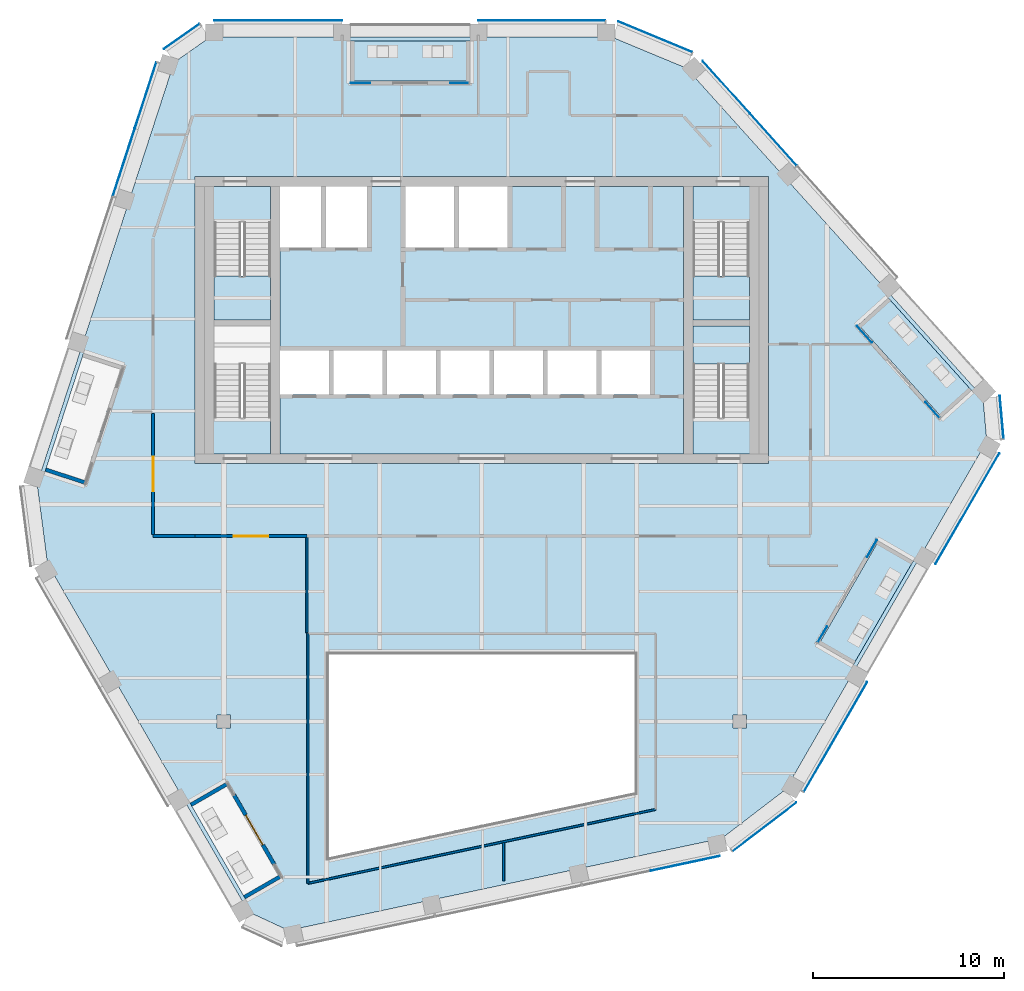
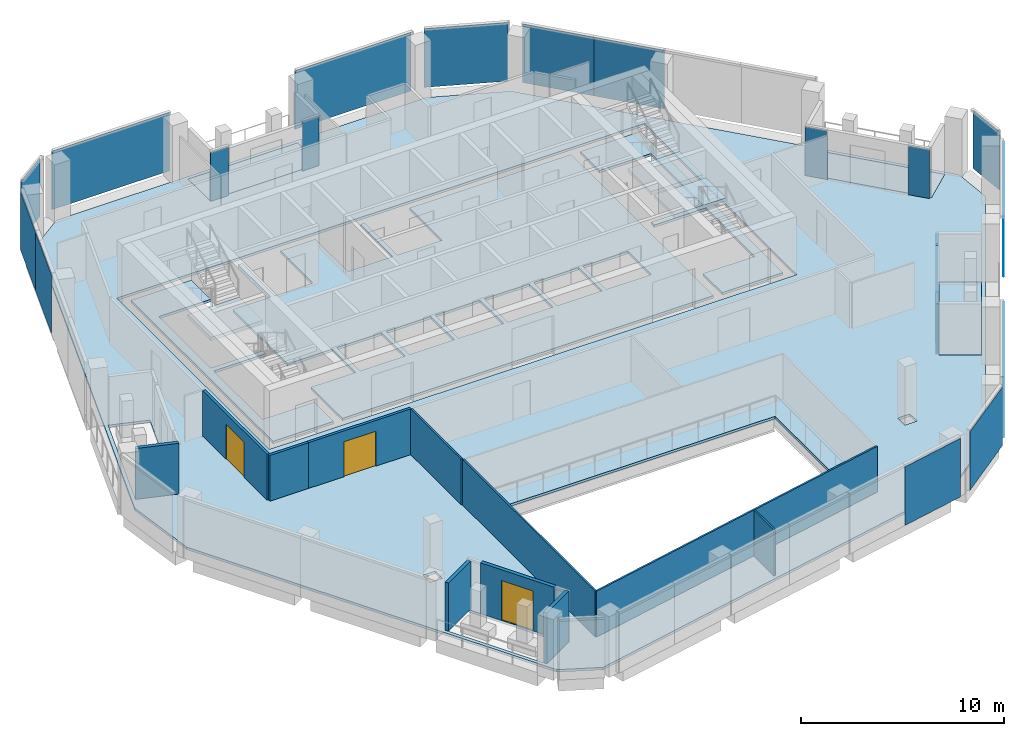
# One storey, part 10 of 20: 19 plates, 11 walls, 10 slabs, 3 doors, 3 openings, 15 elements without a shape of their own.
"""IFC4 building model written with IfcOpenShell, lengths in metres."""

from ifc_helpers import new_model, si_unit, direction, frame, frame_2d, origin, origin_2d, place, context, subcontext, project, spatial, polyline, rectangle, outline, extrude, material, layer, layer_set, type_object, element, fill, aggregate, save


model = new_model("IFC4")

# Units and contexts
model_context = context("Model", 3, precision=1e-05, world=origin(), true_north=direction((0.0, 1.0)))
body_context = subcontext(model_context, "Body", "Model", "MODEL_VIEW")
ifc_project = project(units=[si_unit("LENGTHUNIT", "METRE"), si_unit("AREAUNIT", "SQUARE_METRE"), si_unit("VOLUMEUNIT", "CUBIC_METRE"), si_unit("PLANEANGLEUNIT", "RADIAN"), si_unit("MASSUNIT", "GRAM", prefix="KILO")], contexts=[model_context])

# Site, building, storey
site_placement = place(None, origin())
site = spatial("IfcSite", under=ifc_project, at=site_placement, CompositionType="ELEMENT")
building_placement = place(site_placement, origin())
building = spatial("IfcBuilding", under=site, at=building_placement, Name="Isthmus Gate Tower", CompositionType="ELEMENT")
storey_placement = place(building_placement, frame((0.0, 0.0, 279.199951171875)))
storey = spatial("IfcBuildingStorey", under=building, at=storey_placement, Name="L71", CompositionType="ELEMENT", Elevation=279.199951171875)

# Slabs
ifc_material_1 = material(Name="Concrete f'c 40 MPa", Category="concrete")
ifc_layer_1 = layer(ifc_material_1, 0.14990234375)
ifc_layer_set_1 = layer_set([ifc_layer_1], Name="COMPOSITE FLOOR SLAB 150")
slab_type_1 = type_object("IfcSlabType", Name="COMPOSITE FLOOR SLAB 150", PredefinedType="FLOOR", material=ifc_layer_set_1)
slab_1_placement = place(storey_placement, frame((0.0, 0.0, -0.14990234375)))
element("IfcSlab", 1, at=slab_1_placement, inside=storey, type_object=slab_type_1, Name="str-slab-L71-1", PredefinedType="FLOOR", context=body_context, shape_type="SweptSolid", body=[
    extrude(outline(polyline([(10.7080078125, 20.68310546875), (26.218017578125, 3.45751953125), (26.423583984375, 1.1669921875), (15.902587890625, -17.055908203125), (12.55810546875, -19.614990234375), (-10.11474609375, -24.434326171875), (-12.201171875, -23.467041015625), (-22.72216796875, -5.243896484375), (-23.26611328125, -1.068115234375), (-16.103515625, 20.976806640625), (-14.22265625, 22.300048828125), (6.819580078125, 22.300048828125), (10.7080078125, 20.68310546875)]), holes=[polyline([(-10.54833984375, -21.7294921875), (-13.440673828125, -16.719970703125), (-15.259521484375, -17.77001953125), (-12.3671875, -22.779541015625), (-10.54833984375, -21.7294921875)]), polyline([(8.0, -10.0), (-8.0, -10.0), (-8.0, -20.611083984375), (8.0, -17.210205078125), (8.0, -10.0)]), polyline([(-13.14990234375, -13.14990234375), (-13.85009765625, -13.14990234375), (-13.85009765625, -13.85009765625), (-13.14990234375, -13.85009765625), (-13.14990234375, -13.14990234375)]), polyline([(13.85009765625, -13.14990234375), (13.14990234375, -13.14990234375), (13.14990234375, -13.85009765625), (13.85009765625, -13.85009765625), (13.85009765625, -13.14990234375)]), polyline([(20.750244140625, -4.059326171875), (17.633056640625, -9.458740234375), (19.45166015625, -10.5087890625), (22.569091796875, -5.109375), (20.750244140625, -4.059326171875)]), polyline([(-20.849365234375, -1.072998046875), (-18.838623046875, 5.115478515625), (-20.8359375, 5.764404296875), (-22.8466796875, -0.424072265625), (-20.849365234375, -1.072998046875)]), polyline([(19.708740234375, 7.24951171875), (24.062744140625, 2.4140625), (25.623291015625, 3.819091796875), (21.269287109375, 8.65478515625), (19.708740234375, 7.24951171875)]), polyline([(15.0, 15.0), (-15.0, 15.0), (-15.0, 0.0), (15.0, 0.0), (15.0, 15.0)]), polyline([(-6.859619140625, 22.10009765625), (-6.859619140625, 20.0), (-0.625, 20.0), (-0.625, 22.10009765625), (-6.859619140625, 22.10009765625)])]), origin(), (0.0, 0.0, 1.0), 0.14990234375),
])
ifc_material_2 = material(Name="Concrete f'c 40 MPa", Category="concrete")
ifc_layer_2 = layer(ifc_material_2, 0.14990234375)
ifc_layer_set_2 = layer_set([ifc_layer_2], Name="CORE FLOOR SLAB 150")
slab_type_2 = type_object("IfcSlabType", Name="CORE FLOOR SLAB 150", PredefinedType="FLOOR", material=ifc_layer_set_2)
slab_2_placement = place(storey_placement, frame((0.0, 0.0, -0.14990234375)))
element("IfcSlab", 2, at=slab_2_placement, inside=storey, type_object=slab_type_2, Name="L71 core floor", PredefinedType="FLOOR", context=body_context, shape_type="SweptSolid", body=[
    extrude(outline(polyline([(-11.050048828125, 0.5), (-11.050048828125, 2.402099609375), (-14.0, 2.402099609375), (-14.0, 7.199951171875), (-11.050048828125, 7.199951171875), (-11.050048828125, 7.5), (-14.0, 7.5), (-14.0, 12.597900390625), (-11.050048828125, 12.597900390625), (-11.050048828125, 14.5), (-14.5, 14.5), (-14.5, 0.5), (-11.050048828125, 0.5)])), origin(), (0.0, 0.0, 1.0), 0.14990234375),
])
slab_3_placement = place(storey_placement, frame((0.0, 0.0, -0.14990234375)))
element("IfcSlab", 3, at=slab_3_placement, inside=storey, type_object=slab_type_2, Name="L71 core floor", PredefinedType="FLOOR", context=body_context, shape_type="SweptSolid", body=[
    extrude(outline(polyline([(10.550048828125, 14.5), (1.35009765625, 14.5), (1.35009765625, 11.300048828125), (-1.199951171875, 11.300048828125), (-1.199951171875, 14.5), (-1.449951171875, 14.5), (-1.449951171875, 11.300048828125), (-4.0, 11.300048828125), (-4.0, 14.5), (-6.0, 14.5), (-6.0, 11.300048828125), (-8.14990234375, 11.300048828125), (-8.14990234375, 14.5), (-8.39990234375, 14.5), (-8.39990234375, 11.300048828125), (-10.550048828125, 11.300048828125), (-10.550048828125, 5.89990234375), (-8.0, 5.89990234375), (-8.0, 3.60009765625), (-10.550048828125, 3.60009765625), (-10.550048828125, 0.5), (10.550048828125, 0.5), (10.550048828125, 14.5)]), holes=[polyline([(-5.199951171875, 5.89990234375), (-5.199951171875, 3.60009765625), (-7.75, 3.60009765625), (-7.75, 5.89990234375), (-5.199951171875, 5.89990234375)]), polyline([(-2.39990234375, 5.89990234375), (-2.39990234375, 3.60009765625), (-4.949951171875, 3.60009765625), (-4.949951171875, 5.89990234375), (-2.39990234375, 5.89990234375)]), polyline([(0.39990234375, 5.89990234375), (0.39990234375, 3.60009765625), (-2.14990234375, 3.60009765625), (-2.14990234375, 5.89990234375), (0.39990234375, 5.89990234375)]), polyline([(3.199951171875, 5.89990234375), (3.199951171875, 3.60009765625), (0.64990234375, 3.60009765625), (0.64990234375, 5.89990234375), (3.199951171875, 5.89990234375)]), polyline([(6.0, 5.89990234375), (6.0, 3.60009765625), (3.449951171875, 3.60009765625), (3.449951171875, 5.89990234375), (6.0, 5.89990234375)]), polyline([(8.800048828125, 5.89990234375), (8.800048828125, 3.60009765625), (6.25, 3.60009765625), (6.25, 5.89990234375), (8.800048828125, 5.89990234375)])]), origin(), (0.0, 0.0, 1.0), 0.14990234375),
])
slab_4_placement = place(storey_placement, frame((0.0, 0.0, -0.14990234375)))
element("IfcSlab", 4, at=slab_4_placement, inside=storey, type_object=slab_type_2, Name="L71 core floor", PredefinedType="FLOOR", context=body_context, shape_type="SweptSolid", body=[
    extrude(outline(polyline([(11.050048828125, 14.5), (11.050048828125, 12.597900390625), (14.0, 12.597900390625), (14.0, 7.5), (11.050048828125, 7.5), (11.050048828125, 7.199951171875), (14.0, 7.199951171875), (14.0, 2.402099609375), (11.050048828125, 2.402099609375), (11.050048828125, 0.5), (14.5, 0.5), (14.5, 14.5), (11.050048828125, 14.5)])), origin(), (0.0, 0.0, 1.0), 0.14990234375),
])

# Curtain wall, plates
ifc_material_3 = material(Name="Aluminium, pale champagne anodised", Category="aluminium")
ifc_layer_3 = layer(ifc_material_3, 0.199951171875)
ifc_layer_set_3 = layer_set([ifc_layer_3], Name="CW-1 UNITISED CURTAIN WALL 200 DEEP")
curtain_wall_type_1 = type_object("IfcCurtainWallType", Name="CW-1 UNITISED CURTAIN WALL 200 DEEP", PredefinedType="NOTDEFINED", material=ifc_layer_set_3)
curtain_wall_1_placement = place(storey_placement, origin())
curtain_wall_1 = element("IfcCurtainWall", 5, at=curtain_wall_1_placement, inside=storey, type_object=curtain_wall_type_1, Name="CW-1 N L71", PredefinedType="NOTDEFINED")
ifc_material_4 = material(Name="Laminated low-iron glass, pale blue tint", Category="glass")
ifc_layer_4 = layer(ifc_material_4, 0.031982421875)
ifc_layer_set_4 = layer_set([ifc_layer_4], Name="CW-1 CLEAR GLASS LITE 32")
plate_type_1 = type_object("IfcPlateType", Name="CW-1 CLEAR GLASS LITE 32", PredefinedType="CURTAIN_PANEL", material=ifc_layer_set_4)
plate_1_placement = place(storey_placement, frame((3.13720703125, 23.18408203125, 0.0), z_axis=(0.0, 0.0, 1.0), x_axis=(-1.0, 0.0, 0.0)))
plate_1 = element("IfcPlate", 6, at=plate_1_placement, type_object=plate_type_1, Name="CW-1 glass lite", PredefinedType="CURTAIN_PANEL", context=body_context, shape_type="SweptSolid", body=[
    extrude(rectangle(XDim=6.62451171875, YDim=0.031982421875, at=origin_2d()), origin(), (0.0, 0.0, 1.0), 3.52001953125),
])
plate_2_placement = place(storey_placement, frame((-10.65185546875, 23.18408203125, 0.0), z_axis=(0.0, 0.0, 1.0), x_axis=(-1.0, 0.0, 0.0)))
plate_2 = element("IfcPlate", 7, at=plate_2_placement, type_object=plate_type_1, Name="CW-1 glass lite", PredefinedType="CURTAIN_PANEL", context=body_context, shape_type="SweptSolid", body=[
    extrude(rectangle(XDim=6.6845703125, YDim=0.031982421875, at=origin_2d()), origin(), (0.0, 0.0, 1.0), 3.52001953125),
])
aggregate(curtain_wall_1, [plate_1, plate_2])

# Curtain wall, plate
curtain_wall_2_placement = place(storey_placement, origin())
curtain_wall_2 = element("IfcCurtainWall", 8, at=curtain_wall_2_placement, inside=storey, type_object=curtain_wall_type_1, Name="CW-1 N-NW L71", PredefinedType="NOTDEFINED")
plate_3_placement = place(storey_placement, frame((-15.6953125, 22.3447265625, 0.0), z_axis=(0.0, 0.0, 1.0), x_axis=(-0.81785959165, -0.57541783805, 0.0)))
plate_3 = element("IfcPlate", 9, at=plate_3_placement, type_object=plate_type_1, Name="CW-1 glass lite", PredefinedType="CURTAIN_PANEL", context=body_context, shape_type="SweptSolid", body=[
    extrude(rectangle(XDim=2.258544921875, YDim=0.031982421875, at=origin_2d()), origin(), (0.0, 0.0, 1.0), 3.52001953125),
])
aggregate(curtain_wall_2, [plate_3])

# Curtain wall, plates
curtain_wall_3_placement = place(storey_placement, origin())
curtain_wall_3 = element("IfcCurtainWall", 10, at=curtain_wall_3_placement, inside=storey, type_object=curtain_wall_type_1, Name="CW-1 NW L71", PredefinedType="NOTDEFINED")
plate_4_placement = place(storey_placement, frame((-17.592529296875, 19.254150390625, 0.0), z_axis=(0.0, 0.0, 1.0), x_axis=(-0.309016994375, -0.951056516295, 0.0)))
plate_4 = element("IfcPlate", 11, at=plate_4_placement, type_object=plate_type_1, Name="CW-1 glass lite", PredefinedType="CURTAIN_PANEL", context=body_context, shape_type="SweptSolid", body=[
    extrude(rectangle(XDim=3.643310546875, YDim=0.031982421875, at=origin_2d()), origin(), (0.0, 0.0, 1.0), 3.52001953125),
])
plate_5_placement = place(storey_placement, frame((-18.727783203125, 15.760498046875, 0.0), z_axis=(0.0, 0.0, 1.0), x_axis=(-0.309016994375, -0.951056516295, 0.0)))
plate_5 = element("IfcPlate", 12, at=plate_5_placement, type_object=plate_type_1, Name="CW-1 glass lite", PredefinedType="CURTAIN_PANEL", context=body_context, shape_type="SweptSolid", body=[
    extrude(rectangle(XDim=3.703369140625, YDim=0.031982421875, at=origin_2d()), origin(), (0.0, 0.0, 1.0), 3.52001953125),
])
aggregate(curtain_wall_3, [plate_4, plate_5])

# Curtain wall, plate
curtain_wall_4_placement = place(storey_placement, origin())
curtain_wall_4 = element("IfcCurtainWall", 13, at=curtain_wall_4_placement, inside=storey, type_object=curtain_wall_type_1, Name="CW-1 S L71", PredefinedType="NOTDEFINED")
plate_6_placement = place(storey_placement, frame((10.644775390625, -20.925537109375, 0.0), z_axis=(0.0, 0.0, 1.0), x_axis=(0.978147600734, 0.207911690818, 0.0)))
plate_6 = element("IfcPlate", 14, at=plate_6_placement, type_object=plate_type_1, Name="CW-1 glass lite", PredefinedType="CURTAIN_PANEL", context=body_context, shape_type="SweptSolid", body=[
    extrude(rectangle(XDim=3.703369140625, YDim=0.031982421875, at=origin_2d()), origin(), (0.0, 0.0, 1.0), 3.52001953125),
])
aggregate(curtain_wall_4, [plate_6])

curtain_wall_5_placement = place(storey_placement, origin())
curtain_wall_5 = element("IfcCurtainWall", 15, at=curtain_wall_5_placement, inside=storey, type_object=curtain_wall_type_1, Name="CW-1 S-SE L71", PredefinedType="NOTDEFINED")
plate_7_placement = place(storey_placement, frame((14.791259765625, -19.01953125, 0.0), z_axis=(0.0, 0.0, 1.0), x_axis=(0.794188594387, 0.607671355706, 0.0)))
plate_7 = element("IfcPlate", 16, at=plate_7_placement, type_object=plate_type_1, Name="CW-1 glass lite", PredefinedType="CURTAIN_PANEL", context=body_context, shape_type="SweptSolid", body=[
    extrude(rectangle(XDim=4.181396484375, YDim=0.031982421875, at=origin_2d()), origin(), (0.0, 0.0, 1.0), 3.52001953125),
])
aggregate(curtain_wall_5, [plate_7])

# Curtain wall, plates
curtain_wall_6_placement = place(storey_placement, origin())
curtain_wall_6 = element("IfcCurtainWall", 17, at=curtain_wall_6_placement, inside=storey, type_object=curtain_wall_type_1, Name="CW-1 SE L71", PredefinedType="NOTDEFINED")
plate_8_placement = place(storey_placement, frame((18.50927734375, -14.308837890625, 0.0), z_axis=(0.0, 0.0, 1.0), x_axis=(0.5, 0.866025403784, 0.0)))
plate_8 = element("IfcPlate", 18, at=plate_8_placement, type_object=plate_type_1, Name="CW-1 glass lite", PredefinedType="CURTAIN_PANEL", context=body_context, shape_type="SweptSolid", body=[
    extrude(rectangle(XDim=6.62451171875, YDim=0.031982421875, at=origin_2d()), origin(), (0.0, 0.0, 1.0), 3.52001953125),
])
plate_9_placement = place(storey_placement, frame((25.40380859375, -2.3671875, 0.0), z_axis=(0.0, 0.0, 1.0), x_axis=(0.5, 0.866025403784, 0.0)))
plate_9 = element("IfcPlate", 19, at=plate_9_placement, type_object=plate_type_1, Name="CW-1 glass lite", PredefinedType="CURTAIN_PANEL", context=body_context, shape_type="SweptSolid", body=[
    extrude(rectangle(XDim=6.6845703125, YDim=0.031982421875, at=origin_2d()), origin(), (0.0, 0.0, 1.0), 3.52001953125),
])
aggregate(curtain_wall_6, [plate_8, plate_9])

# Curtain wall, plate
curtain_wall_7_placement = place(storey_placement, origin())
curtain_wall_7 = element("IfcCurtainWall", 20, at=curtain_wall_7_placement, inside=storey, type_object=curtain_wall_type_1, Name="CW-1 SE-NE L71", PredefinedType="NOTDEFINED")
plate_10_placement = place(storey_placement, frame((27.19873046875, 2.420166015625, 0.0), z_axis=(0.0, 0.0, 1.0), x_axis=(-0.089396669717, 0.995996102123, 0.0)))
plate_10 = element("IfcPlate", 21, at=plate_10_placement, type_object=plate_type_1, Name="CW-1 glass lite", PredefinedType="CURTAIN_PANEL", context=body_context, shape_type="SweptSolid", body=[
    extrude(rectangle(XDim=2.258544921875, YDim=0.031982421875, at=origin_2d()), origin(), (0.0, 0.0, 1.0), 3.52001953125),
])
aggregate(curtain_wall_7, [plate_10])

# Curtain wall, plates
curtain_wall_8_placement = place(storey_placement, origin())
curtain_wall_8 = element("IfcCurtainWall", 22, at=curtain_wall_8_placement, inside=storey, type_object=curtain_wall_type_1, Name="CW-1 NE L71", PredefinedType="NOTDEFINED")
plate_11_placement = place(storey_placement, frame((15.257568359375, 16.95166015625, 0.0), z_axis=(0.0, 0.0, 1.0), x_axis=(-0.669130606359, 0.743144825477, 0.0)))
plate_11 = element("IfcPlate", 23, at=plate_11_placement, type_object=plate_type_1, Name="CW-1 glass lite", PredefinedType="CURTAIN_PANEL", context=body_context, shape_type="SweptSolid", body=[
    extrude(rectangle(XDim=3.643310546875, YDim=0.031982421875, at=origin_2d()), origin(), (0.0, 0.0, 1.0), 3.52001953125),
])
plate_12_placement = place(storey_placement, frame((12.799560546875, 19.681396484375, 0.0), z_axis=(0.0, 0.0, 1.0), x_axis=(-0.669130606359, 0.743144825477, 0.0)))
plate_12 = element("IfcPlate", 24, at=plate_12_placement, type_object=plate_type_1, Name="CW-1 glass lite", PredefinedType="CURTAIN_PANEL", context=body_context, shape_type="SweptSolid", body=[
    extrude(rectangle(XDim=3.703369140625, YDim=0.031982421875, at=origin_2d()), origin(), (0.0, 0.0, 1.0), 3.52001953125),
])
aggregate(curtain_wall_8, [plate_11, plate_12])

# Curtain wall, plate
curtain_wall_9_placement = place(storey_placement, origin())
curtain_wall_9 = element("IfcCurtainWall", 25, at=curtain_wall_9_placement, inside=storey, type_object=curtain_wall_type_1, Name="CW-1 NE-N L71", PredefinedType="NOTDEFINED")
plate_13_placement = place(storey_placement, frame((9.07568359375, 22.3193359375, 0.0), z_axis=(0.0, 0.0, 1.0), x_axis=(-0.923353128387, 0.383951820282, 0.0)))
plate_13 = element("IfcPlate", 26, at=plate_13_placement, type_object=plate_type_1, Name="CW-1 glass lite", PredefinedType="CURTAIN_PANEL", context=body_context, shape_type="SweptSolid", body=[
    extrude(rectangle(XDim=4.181396484375, YDim=0.031982421875, at=origin_2d()), origin(), (0.0, 0.0, 1.0), 3.52001953125),
])
aggregate(curtain_wall_9, [plate_13])

# Curtain wall, plates
ifc_material_5 = material(Name="Aluminium, pale champagne anodised", Category="aluminium")
ifc_layer_5 = layer(ifc_material_5, 0.14990234375)
ifc_layer_set_5 = layer_set([ifc_layer_5], Name="CW-6 LOGGIA BACK WALL GLAZING 150 DEEP")
curtain_wall_type_2 = type_object("IfcCurtainWallType", Name="CW-6 LOGGIA BACK WALL GLAZING 150 DEEP", PredefinedType="NOTDEFINED", material=ifc_layer_set_5)
curtain_wall_10_placement = place(storey_placement, origin())
curtain_wall_10 = element("IfcCurtainWall", 27, at=curtain_wall_10_placement, inside=storey, type_object=curtain_wall_type_2, Name="CW-6 N L71", PredefinedType="NOTDEFINED")
ifc_material_6 = material(Name="Laminated low-iron glass, clear", Category="glass")
ifc_layer_6 = layer(ifc_material_6, 0.031982421875)
ifc_layer_set_6 = layer_set([ifc_layer_6], Name="CW-6 CLEAR GLASS LITE 32")
plate_type_2 = type_object("IfcPlateType", Name="CW-6 CLEAR GLASS LITE 32", PredefinedType="CURTAIN_PANEL", material=ifc_layer_set_6)
plate_14_placement = place(storey_placement, frame((-1.163818359375, 19.89990234375, 0.0), z_axis=(0.0, 0.0, 1.0), x_axis=(-1.0, 0.0, 0.0)))
plate_14 = element("IfcPlate", 28, at=plate_14_placement, type_object=plate_type_2, Name="CW-6 glass lite", PredefinedType="CURTAIN_PANEL", context=body_context, shape_type="SweptSolid", body=[
    extrude(rectangle(XDim=0.957275390625, YDim=0.031982421875, at=origin_2d()), origin(), (0.0, 0.0, 1.0), 2.929931640625),
])
plate_15_placement = place(storey_placement, frame((-6.35107421875, 19.89990234375, 0.0), z_axis=(0.0, 0.0, 1.0), x_axis=(-1.0, 0.0, 0.0)))
plate_15 = element("IfcPlate", 29, at=plate_15_placement, type_object=plate_type_2, Name="CW-6 glass lite", PredefinedType="CURTAIN_PANEL", context=body_context, shape_type="SweptSolid", body=[
    extrude(rectangle(XDim=1.017333984375, YDim=0.031982421875, at=origin_2d()), origin(), (0.0, 0.0, 1.0), 2.929931640625),
])
aggregate(curtain_wall_10, [plate_14, plate_15])

curtain_wall_11_placement = place(storey_placement, origin())
curtain_wall_11 = element("IfcCurtainWall", 30, at=curtain_wall_11_placement, inside=storey, type_object=curtain_wall_type_2, Name="CW-6 SE L71", PredefinedType="NOTDEFINED")
plate_16_placement = place(storey_placement, frame((17.815673828125, -8.942138671875, 0.0), z_axis=(0.0, 0.0, 1.0), x_axis=(0.5, 0.866025403784, 0.0)))
plate_16 = element("IfcPlate", 31, at=plate_16_placement, type_object=plate_type_2, Name="CW-6 glass lite", PredefinedType="CURTAIN_PANEL", context=body_context, shape_type="SweptSolid", body=[
    extrude(rectangle(XDim=0.957275390625, YDim=0.031982421875, at=origin_2d()), origin(), (0.0, 0.0, 1.0), 2.929931640625),
])
plate_17_placement = place(storey_placement, frame((20.409423828125, -4.449951171875, 0.0), z_axis=(0.0, 0.0, 1.0), x_axis=(0.5, 0.866025403784, 0.0)))
plate_17 = element("IfcPlate", 32, at=plate_17_placement, type_object=plate_type_2, Name="CW-6 glass lite", PredefinedType="CURTAIN_PANEL", context=body_context, shape_type="SweptSolid", body=[
    extrude(rectangle(XDim=1.017333984375, YDim=0.031982421875, at=origin_2d()), origin(), (0.0, 0.0, 1.0), 2.929931640625),
])
aggregate(curtain_wall_11, [plate_16, plate_17])

curtain_wall_12_placement = place(storey_placement, origin())
curtain_wall_12 = element("IfcCurtainWall", 33, at=curtain_wall_12_placement, inside=storey, type_object=curtain_wall_type_2, Name="CW-6 NE L71", PredefinedType="NOTDEFINED")
plate_18_placement = place(storey_placement, frame((23.58251953125, 2.7978515625, 0.0), z_axis=(0.0, 0.0, 1.0), x_axis=(-0.669130606359, 0.743144825477, 0.0)))
plate_18 = element("IfcPlate", 34, at=plate_18_placement, type_object=plate_type_2, Name="CW-6 glass lite", PredefinedType="CURTAIN_PANEL", context=body_context, shape_type="SweptSolid", body=[
    extrude(rectangle(XDim=1.093505859375, YDim=0.031982421875, at=origin_2d()), origin(), (0.0, 0.0, 1.0), 2.929931640625),
])
plate_19_placement = place(storey_placement, frame((20.0205078125, 6.75390625, 0.0), z_axis=(0.0, 0.0, 1.0), x_axis=(-0.669130606359, 0.743144825477, 0.0)))
plate_19 = element("IfcPlate", 35, at=plate_19_placement, type_object=plate_type_2, Name="CW-6 glass lite", PredefinedType="CURTAIN_PANEL", context=body_context, shape_type="SweptSolid", body=[
    extrude(rectangle(XDim=1.1533203125, YDim=0.031982421875, at=origin_2d()), origin(), (0.0, 0.0, 1.0), 2.929931640625),
])
aggregate(curtain_wall_12, [plate_18, plate_19])

# Slabs
ifc_material_7 = material(Name="Concrete f'c 50 MPa", Category="concrete")
ifc_layer_7 = layer(ifc_material_7, 0.14990234375)
ifc_layer_set_7 = layer_set([ifc_layer_7], Name="LOGGIA FLOOR SLAB 150")
slab_type_3 = type_object("IfcSlabType", Name="LOGGIA FLOOR SLAB 150", PredefinedType="FLOOR", material=ifc_layer_set_7)
slab_5_placement = place(storey_placement, frame((0.0, 0.0, -0.14990234375)))
element("IfcSlab", 36, at=slab_5_placement, inside=storey, type_object=slab_type_3, Name="LOGGIA FLOOR", PredefinedType="FLOOR", context=body_context, shape_type="SweptSolid", body=[
    extrude(outline(polyline([(-0.625, 22.10009765625), (-6.859619140625, 22.10009765625), (-6.859619140625, 20.0), (-0.625, 20.0), (-0.625, 22.10009765625)])), origin(), (0.0, 0.0, 1.0), 0.14990234375),
])
slab_6_placement = place(storey_placement, frame((0.0, 0.0, -0.14990234375)))
element("IfcSlab", 37, at=slab_6_placement, inside=storey, type_object=slab_type_3, Name="LOGGIA FLOOR", PredefinedType="FLOOR", context=body_context, shape_type="SweptSolid", body=[
    extrude(outline(polyline([(19.45166015625, -10.508544921875), (22.56884765625, -5.109375), (20.750244140625, -4.059326171875), (17.633056640625, -9.458740234375), (19.45166015625, -10.508544921875)])), origin(), (0.0, 0.0, 1.0), 0.14990234375),
])
slab_7_placement = place(storey_placement, frame((0.0, 0.0, -0.14990234375)))
element("IfcSlab", 38, at=slab_7_placement, inside=storey, type_object=slab_type_3, Name="LOGGIA FLOOR", PredefinedType="FLOOR", context=body_context, shape_type="SweptSolid", body=[
    extrude(outline(polyline([(25.623291015625, 3.819091796875), (21.26953125, 8.65478515625), (19.708740234375, 7.24951171875), (24.062744140625, 2.4140625), (25.623291015625, 3.819091796875)])), origin(), (0.0, 0.0, 1.0), 0.14990234375),
])

# Stair, slab
ifc_material_8 = material(Name="Concrete f'c 40 MPa", Category="concrete")
stair_type = type_object("IfcStairType", Name="CORE STAIR 22 RISERS", PredefinedType="HALF_TURN_STAIR", material=ifc_material_8)
stair_1_placement = place(storey_placement, origin())
stair_1 = element("IfcStair", 39, at=stair_1_placement, inside=storey, type_object=stair_type, Name="L71 Exit Stair 1", PredefinedType="HALF_TURN_STAIR")
ifc_material_9 = material(Name="Concrete f'c 40 MPa", Category="concrete")
ifc_layer_8 = layer(ifc_material_9, 0.199951171875)
ifc_layer_set_8 = layer_set([ifc_layer_8])
slab_type_4 = type_object("IfcSlabType", Name="STAIR LANDING RC 200", PredefinedType="LANDING", material=ifc_layer_set_8)
slab_8_placement = place(storey_placement, frame((0.0, 0.0, 1.625)))
slab_8 = element("IfcSlab", 40, at=slab_8_placement, type_object=slab_type_4, Name="ST1 landing 1", PredefinedType="LANDING", context=body_context, shape_type="SweptSolid", body=[
    extrude(outline(polyline([(-14.0, 9.800048828125), (-14.0, 7.5), (-11.050048828125, 7.5), (-11.050048828125, 9.800048828125), (-14.0, 9.800048828125)])), origin(), (0.0, 0.0, 1.0), 0.199951171875),
])
aggregate(stair_1, [slab_8])

stair_2_placement = place(storey_placement, origin())
stair_2 = element("IfcStair", 41, at=stair_2_placement, inside=storey, type_object=stair_type, Name="L71 Exit Stair 2", PredefinedType="HALF_TURN_STAIR")
slab_9_placement = place(storey_placement, frame((0.0, 0.0, 1.625)))
slab_9 = element("IfcSlab", 42, at=slab_9_placement, type_object=slab_type_4, Name="ST2 landing 1", PredefinedType="LANDING", context=body_context, shape_type="SweptSolid", body=[
    extrude(outline(polyline([(11.050048828125, 9.800048828125), (11.050048828125, 7.5), (14.0, 7.5), (14.0, 9.800048828125), (11.050048828125, 9.800048828125)])), origin(), (0.0, 0.0, 1.0), 0.199951171875),
])
aggregate(stair_2, [slab_9])

stair_3_placement = place(storey_placement, origin())
stair_3 = element("IfcStair", 43, at=stair_3_placement, inside=storey, type_object=stair_type, Name="L71 Exit Stair 8", PredefinedType="HALF_TURN_STAIR")
slab_10_placement = place(storey_placement, frame((0.0, 0.0, 1.625)))
slab_10 = element("IfcSlab", 44, at=slab_10_placement, type_object=slab_type_4, Name="ST8 landing 1", PredefinedType="LANDING", context=body_context, shape_type="SweptSolid", body=[
    extrude(outline(polyline([(14.0, 5.199951171875), (14.0, 7.199951171875), (11.050048828125, 7.199951171875), (11.050048828125, 5.199951171875), (14.0, 5.199951171875)])), origin(), (0.0, 0.0, 1.0), 0.199951171875),
])
aggregate(stair_3, [slab_10])

# Walls
ifc_material_10 = material(Name="Fire-rated laminated glass in steel frame", Category="steel")
ifc_layer_9 = layer(ifc_material_10, 0.10009765625)
ifc_layer_set_9 = layer_set([ifc_layer_9], Name="ATRIUM SCREEN GLAZED WALL 100 120 MIN")
wall_type_1 = type_object("IfcWallType", Name="ATRIUM SCREEN GLAZED WALL 100 120 MIN", PredefinedType="PARTITIONING", material=ifc_layer_set_9)
wall_1_placement = place(storey_placement, frame((9.10009765625, -18.100830078125, 0.0), z_axis=(0.0, 0.0, 1.0), x_axis=(-0.978146710971, -0.207915876778, 0.0)))
element("IfcWall", 45, at=wall_1_placement, inside=storey, type_object=wall_type_1, Name="L71 atrium screen", PredefinedType="PARTITIONING", context=body_context, shape_type="SweptSolid", body=[
    extrude(rectangle(XDim=18.60693359375, YDim=0.10009765625, at=frame_2d((9.303466796875, 0.0))), origin(), (0.0, 0.0, 1.0), 2.750732421875),
])
wall_2_placement = place(storey_placement, frame((-9.10009765625, -21.969482421875, 0.0), z_axis=(0.0, 0.0, 1.0), x_axis=(0.0, 1.0, 0.0)))
element("IfcWall", 46, at=wall_2_placement, inside=storey, type_object=wall_type_1, Name="L71 atrium screen", PredefinedType="PARTITIONING", context=body_context, shape_type="SweptSolid", body=[
    extrude(rectangle(XDim=13.069580078125, YDim=0.10009765625, at=frame_2d((6.53466796875, 0.0))), origin(), (0.0, 0.0, 1.0), 2.750732421875),
])

# Wall, opening, door
ifc_material_11 = material(Name="Gypsum board on steel studs, fire-rated", Category="steel")
ifc_layer_10 = layer(ifc_material_11, 0.14990234375)
ifc_layer_set_10 = layer_set([ifc_layer_10], Name="CORRIDOR WALL 150 60 MIN")
wall_type_2 = type_object("IfcWallType", Name="CORRIDOR WALL 150 60 MIN", PredefinedType="PARTITIONING", material=ifc_layer_set_10)
wall_3_placement = place(storey_placement, frame((-9.14794921875, -3.800048828125, 0.0), z_axis=(0.0, 0.0, 1.0), x_axis=(-1.0, 0.0, 0.0)))
wall_3 = element("IfcWall", 47, at=wall_3_placement, inside=storey, type_object=wall_type_2, Name="L71 Corridor Wall 150 60 Min", PredefinedType="PARTITIONING", context=body_context, shape_type="SweptSolid", body=[
    extrude(rectangle(XDim=5.85205078125, YDim=0.14990234375, at=frame_2d((2.926025390625, 0.0))), origin(), (0.0, 0.0, 1.0), 2.750732421875),
])
opening_1_placement = place(wall_3_placement, frame((2.02587890625, 0.0, 0.0)))
opening_1 = element("IfcOpeningElement", 48, at=opening_1_placement, cuts=wall_3, Name="Opening DT-T6B-09", PredefinedType="OPENING", context=body_context, shape_type="SweptSolid", body=[
    extrude(rectangle(XDim=1.800048828125, YDim=2.10009765625, at=frame_2d((0.89990234375, 1.050048828125))), frame((0.0, 0.0849609375, 0.0), z_axis=(0.0, -1.0, 0.0), x_axis=(1.0, 0.0, 0.0)), (0.0, 0.0, 1.0), 0.169921875),
])
ifc_material_12 = material(Name="Solid core timber door leaf, fire-rated", Category="wood")
door_type_1 = type_object("IfcDoorType", Name="FIRE DOOR ROOM 1800 X 2100 60 MIN", OperationType="DOUBLE_DOOR_DOUBLE_SWING", PredefinedType="DOOR", material=ifc_material_12)
door_1_placement = place(opening_1_placement, origin())
door_1 = element("IfcDoor", 49, at=door_1_placement, inside=storey, type_object=door_type_1, Name="L71 room door", OperationType="DOUBLE_DOOR_DOUBLE_SWING", OverallHeight=2.10009765625, OverallWidth=1.800048828125, PredefinedType="DOOR", context=body_context, shape_type="SweptSolid", body=[
    extrude(rectangle(XDim=1.800048828125, YDim=2.10009765625, at=frame_2d((0.89990234375, 1.050048828125))), frame((0.0, 0.02490234375, 0.0), z_axis=(0.0, -1.0, 0.0), x_axis=(1.0, 0.0, 0.0)), (0.0, 0.0, 1.0), 0.050048828125),
])
fill(opening_1, door_1)

# Wall
wall_4_placement = place(storey_placement, frame((-15.0, -3.800048828125, 0.0), z_axis=(0.0, 0.0, 1.0), x_axis=(-1.0, 0.0, 0.0)))
element("IfcWall", 50, at=wall_4_placement, inside=storey, type_object=wall_type_2, Name="L71 Corridor Wall 150 60 Min", PredefinedType="PARTITIONING", context=body_context, shape_type="SweptSolid", body=[
    extrude(rectangle(XDim=2.199951171875, YDim=0.14990234375, at=frame_2d((1.10009765625, 0.0))), origin(), (0.0, 0.0, 1.0), 2.750732421875),
])

# Wall, opening, door
wall_5_placement = place(storey_placement, frame((-17.199951171875, -3.72509765625, 0.0), z_axis=(0.0, 0.0, 1.0), x_axis=(0.0, 1.0, 0.0)))
wall_5 = element("IfcWall", 51, at=wall_5_placement, inside=storey, type_object=wall_type_2, Name="L71 Corridor Wall 150 60 Min", PredefinedType="PARTITIONING", context=body_context, shape_type="SweptSolid", body=[
    extrude(rectangle(XDim=6.34521484375, YDim=0.14990234375, at=frame_2d((3.172607421875, 0.0))), origin(), (0.0, 0.0, 1.0), 2.750732421875),
])
opening_2_placement = place(wall_5_placement, frame((2.2724609375, 0.0, 0.0)))
opening_2 = element("IfcOpeningElement", 52, at=opening_2_placement, cuts=wall_5, Name="Opening DT-T6B-08", PredefinedType="OPENING", context=body_context, shape_type="SweptSolid", body=[
    extrude(rectangle(XDim=1.800048828125, YDim=2.10009765625, at=frame_2d((0.89990234375, 1.050048828125))), frame((0.0, 0.0849609375, 0.0), z_axis=(0.0, -1.0, 0.0), x_axis=(1.0, 0.0, 0.0)), (0.0, 0.0, 1.0), 0.169921875),
])
door_2_placement = place(opening_2_placement, origin())
door_2 = element("IfcDoor", 53, at=door_2_placement, inside=storey, type_object=door_type_1, Name="L71 room door", OperationType="DOUBLE_DOOR_DOUBLE_SWING", OverallHeight=2.10009765625, OverallWidth=1.800048828125, PredefinedType="DOOR", context=body_context, shape_type="SweptSolid", body=[
    extrude(rectangle(XDim=1.800048828125, YDim=2.10009765625, at=frame_2d((0.89990234375, 1.050048828125))), frame((0.0, 0.02490234375, 0.0), z_axis=(0.0, -1.0, 0.0), x_axis=(1.0, 0.0, 0.0)), (0.0, 0.0, 1.0), 0.050048828125),
])
fill(opening_2, door_2)

# Wall
ifc_material_13 = material(Name="Precast concrete C40/50", Category="concrete")
ifc_layer_11 = layer(ifc_material_13, 0.199951171875)
ifc_layer_set_11 = layer_set([ifc_layer_11], Name="LOGGIA WALL 200")
wall_type_3 = type_object("IfcWallType", Name="LOGGIA WALL 200", PredefinedType="SOLIDWALL", material=ifc_layer_set_11)
wall_6_placement = place(storey_placement, frame((-22.815673828125, -0.328857421875, 0.0), z_axis=(0.0, 0.0, 1.0), x_axis=(0.951037354511, -0.309075962062, 0.0)))
element("IfcWall", 54, at=wall_6_placement, inside=storey, type_object=wall_type_3, Name="LOGGIA SIDE WALL", PredefinedType="SOLIDWALL", context=body_context, shape_type="SweptSolid", body=[
    extrude(rectangle(XDim=2.18408203125, YDim=0.199951171875, at=frame_2d((1.092041015625, 0.0))), origin(), (0.0, 0.0, 1.0), 3.050048828125),
])

# Wall, opening, door
wall_7_placement = place(storey_placement, frame((-12.9580078125, -17.356201171875, 0.0), z_axis=(0.0, 0.0, 1.0), x_axis=(0.500027713859, -0.866009402589, 0.0)))
wall_7 = element("IfcWall", 55, at=wall_7_placement, inside=storey, type_object=wall_type_3, Name="LOGGIA BACK WALL", PredefinedType="SOLIDWALL", context=body_context, shape_type="SweptSolid", body=[
    extrude(rectangle(XDim=4.199951171875, YDim=0.199951171875, at=frame_2d((2.10009765625, 0.0))), origin(), (0.0, 0.0, 1.0), 3.050048828125),
])
opening_3_placement = place(wall_7_placement, frame((1.199951171875, 0.0, 0.0)))
opening_3 = element("IfcOpeningElement", 56, at=opening_3_placement, cuts=wall_7, Name="Opening DE71-03", PredefinedType="OPENING", context=body_context, shape_type="SweptSolid", body=[
    extrude(rectangle(XDim=1.800048828125, YDim=2.39990234375, at=frame_2d((0.89990234375, 1.199951171875))), frame((0.0, 0.10986328125, 0.0), z_axis=(0.0, -1.0, 0.0), x_axis=(1.0, 0.0, 0.0)), (0.0, 0.0, 1.0), 0.219970703125),
])
ifc_material_14 = material(Name="Aluminium, pale champagne anodised, laminated glass", Category="aluminium")
door_type_2 = type_object("IfcDoorType", Name="LOGGIA DOOR SLIDING 1800 X 2400", OperationType="DOUBLE_DOOR_SLIDING", PredefinedType="DOOR", material=ifc_material_14)
door_3_placement = place(opening_3_placement, origin())
door_3 = element("IfcDoor", 57, at=door_3_placement, inside=storey, type_object=door_type_2, Name="DOOR DE71-03", OperationType="SINGLE_SWING_LEFT", OverallHeight=2.39990234375, OverallWidth=1.800048828125, PredefinedType="DOOR", context=body_context, shape_type="SweptSolid", body=[
    extrude(rectangle(XDim=1.800048828125, YDim=2.39990234375, at=frame_2d((0.89990234375, 1.199951171875))), frame((0.0, 0.02490234375, 0.0), z_axis=(0.0, -1.0, 0.0), x_axis=(1.0, 0.0, 0.0)), (0.0, 0.0, 1.0), 0.050048828125),
])
fill(opening_3, door_3)

# Walls
wall_8_placement = place(storey_placement, frame((-15.20947265625, -17.856689453125, 0.0), z_axis=(0.0, 0.0, 1.0), x_axis=(0.866040401994, 0.49997402144, 0.0)))
element("IfcWall", 58, at=wall_8_placement, inside=storey, type_object=wall_type_3, Name="LOGGIA SIDE WALL", PredefinedType="SOLIDWALL", context=body_context, shape_type="SweptSolid", body=[
    extrude(rectangle(XDim=2.18408203125, YDim=0.199951171875, at=frame_2d((1.092041015625, 0.0))), origin(), (0.0, 0.0, 1.0), 2.896728515625),
])
wall_9_placement = place(storey_placement, frame((-12.4169921875, -22.69287109375, 0.0), z_axis=(0.0, 0.0, 1.0), x_axis=(0.866060862046, 0.499938579459, 0.0)))
element("IfcWall", 59, at=wall_9_placement, inside=storey, type_object=wall_type_3, Name="LOGGIA SIDE WALL", PredefinedType="SOLIDWALL", context=body_context, shape_type="SweptSolid", body=[
    extrude(rectangle(XDim=2.183837890625, YDim=0.199951171875, at=frame_2d((1.091796875, 0.0))), origin(), (0.0, 0.0, 1.0), 3.04931640625),
])
ifc_material_15 = material(Name="Gypsum board on steel studs, fire-rated", Category="steel")
ifc_layer_12 = layer(ifc_material_15, 0.10009765625)
ifc_layer_set_12 = layer_set([ifc_layer_12], Name="ROOM PARTITION 100 30 MIN")
wall_type_4 = type_object("IfcWallType", Name="ROOM PARTITION 100 30 MIN", PredefinedType="PARTITIONING", material=ifc_layer_set_12)
wall_10_placement = place(storey_placement, frame((-9.14794921875, -8.85009765625, 0.0), z_axis=(0.0, 0.0, 1.0), x_axis=(0.0, 1.0, 0.0)))
element("IfcWall", 60, at=wall_10_placement, inside=storey, type_object=wall_type_4, Name="L71 Room Partition 100 30 Min", PredefinedType="PARTITIONING", context=body_context, shape_type="SweptSolid", body=[
    extrude(rectangle(XDim=4.97509765625, YDim=0.10009765625, at=frame_2d((2.487548828125, 0.0))), origin(), (0.0, 0.0, 1.0), 2.750732421875),
])
wall_11_placement = place(storey_placement, frame((1.14306640625, -21.843994140625, 0.0), z_axis=(0.0, 0.0, 1.0), x_axis=(0.0, 1.0, 0.0)))
element("IfcWall", 61, at=wall_11_placement, inside=storey, type_object=wall_type_4, Name="L71 Room Partition 100 30 Min", PredefinedType="PARTITIONING", context=body_context, shape_type="SweptSolid", body=[
    extrude(rectangle(XDim=2.0009765625, YDim=0.10009765625, at=frame_2d((1.00048828125, 0.0))), origin(), (0.0, 0.0, 1.0), 2.750732421875),
])

save(model, "model.ifc")
